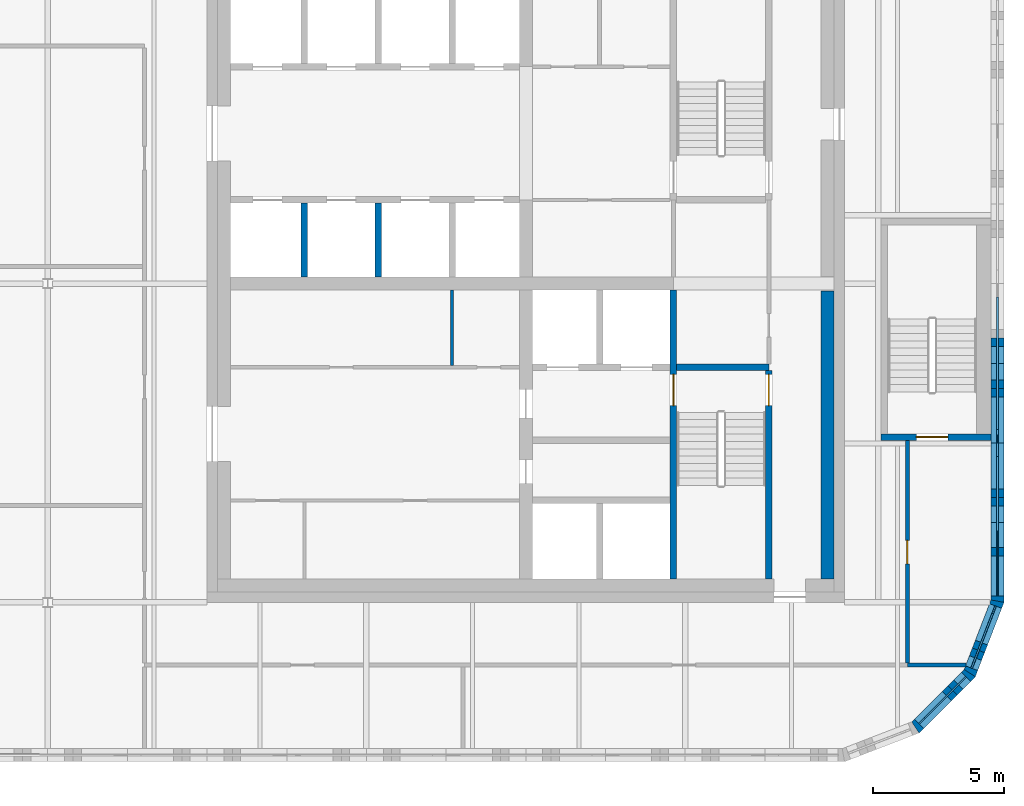
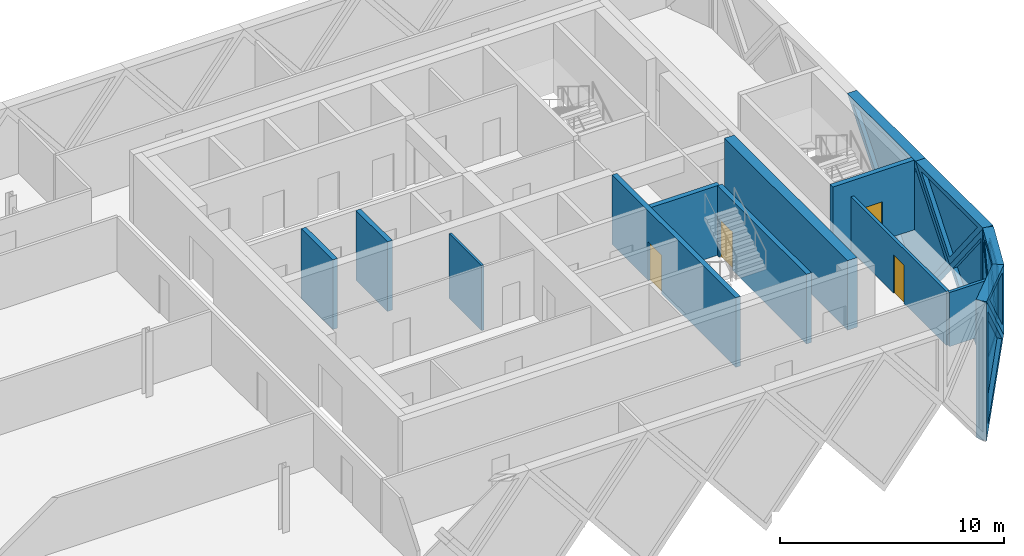
# One storey, part 7 of 12: 18 walls, 8 plates, 4 doors, 12 openings.
"""IFC4 building model written with IfcOpenShell, lengths in metres."""

from ifc_helpers import new_model, si_unit, direction, frame, frame_2d, origin, place, context, subcontext, project, spatial, polyline, rectangle, outline, extrude, faceted_brep, source, transform, mapped, material, layer, layer_set, type_object, element, fill, save


model = new_model("IFC4")

# Units and contexts
model_context = context("Model", 3, precision=1e-05, world=origin(), true_north=direction((0.0, 1.0)))
body_context = subcontext(model_context, "Body", "Model", "MODEL_VIEW")
ifc_project = project(units=[si_unit("LENGTHUNIT", "METRE"), si_unit("AREAUNIT", "SQUARE_METRE"), si_unit("VOLUMEUNIT", "CUBIC_METRE"), si_unit("PLANEANGLEUNIT", "RADIAN"), si_unit("MASSUNIT", "GRAM", prefix="KILO")], contexts=[model_context])

# Site, building, storey
site_placement = place(None, origin())
site = spatial("IfcSite", under=ifc_project, at=site_placement, CompositionType="ELEMENT")
building_placement = place(site_placement, origin())
building = spatial("IfcBuilding", under=site, at=building_placement, Name="Tessera Gate Towers", CompositionType="ELEMENT")
storey_placement = place(building_placement, frame((0.0, 0.0, 255.89990234375)))
storey = spatial("IfcBuildingStorey", under=building, at=storey_placement, Name="L64", CompositionType="ELEMENT", Elevation=255.89990234375)

# Wall, opening, door
ifc_material_1 = material(Name="Concrete C40/50", Category="concrete")
ifc_layer_1 = layer(ifc_material_1, 0.25)
ifc_layer_set_1 = layer_set([ifc_layer_1], Name="CORE ENCLOSURE WALL 250")
wall_type_1 = type_object("IfcWallType", Name="CORE ENCLOSURE WALL 250", PredefinedType="SOLIDWALL", material=ifc_layer_set_1)
wall_1_placement = place(storey_placement, frame((48.35009765625, 36.35009765625, 0.0), z_axis=(0.0, 0.0, 1.0), x_axis=(0.0, -1.0, 0.0)))
wall_1 = element("IfcWall", 1, at=wall_1_placement, inside=storey, type_object=wall_type_1, Name="L64 shaft and stair enclosure wall", PredefinedType="SOLIDWALL", context=body_context, shape_type="SweptSolid", body=[
    extrude(rectangle(XDim=11.050048828125, YDim=0.25, at=frame_2d((5.52490234375, 0.0))), origin(), (0.0, 0.0, 1.0), 3.800048828125),
])
shared_shape_1 = source(origin(), body_context, "Body", "SweptSolid", [
    extrude(rectangle(XDim=1.199951171875, YDim=2.10009765625, at=frame_2d((0.60009765625, 1.050048828125))), frame((0.0, 0.135009765625, 0.0), z_axis=(0.0, -1.0, 0.0), x_axis=(1.0, 0.0, 0.0)), (0.0, 0.0, 1.0), 0.27001953125),
])
opening_1_placement = place(wall_1_placement, frame((3.22509765625, 0.0, 0.0)))
opening_1 = element("IfcOpeningElement", 2, at=opening_1_placement, cuts=wall_1, Name="Opening SD-ST1-1", PredefinedType="OPENING", context=body_context, shape_type="MappedRepresentation", body=[
    mapped(shared_shape_1, transform((0.0, 0.0, 0.0), scale=1.0)),
])
ifc_material_2 = material(Name="Hollow steel fire door", Category="steel")
door_type_1 = type_object("IfcDoorType", Name="CORE DOOR SD 1200x2100", OperationType="NOTDEFINED", PredefinedType="DOOR", material=ifc_material_2)
shared_shape_2 = source(origin(), body_context, "Body", "SweptSolid", [
    extrude(rectangle(XDim=1.199951171875, YDim=2.10009765625, at=frame_2d((0.60009765625, 1.050048828125))), frame((0.0, 0.02490234375, 0.0), z_axis=(0.0, -1.0, 0.0), x_axis=(1.0, 0.0, 0.0)), (0.0, 0.0, 1.0), 0.050048828125),
])
door_1_placement = place(opening_1_placement, origin())
door_1 = element("IfcDoor", 3, at=door_1_placement, inside=storey, type_object=door_type_1, Name="Stair door", OperationType="SINGLE_SWING_LEFT", OverallHeight=2.10009765625, OverallWidth=1.199951171875, PredefinedType="DOOR", context=body_context, shape_type="MappedRepresentation", body=[
    mapped(shared_shape_2, transform((0.0, 0.0, 0.0), scale=1.0)),
])
fill(opening_1, door_1)

# Wall
wall_2_placement = place(storey_placement, frame((48.47509765625, 33.39990234375, 0.0), z_axis=(0.0, 0.0, 1.0), x_axis=(1.0, 0.0, 0.0)))
element("IfcWall", 4, at=wall_2_placement, inside=storey, type_object=wall_type_1, Name="L64 shaft and stair enclosure wall", PredefinedType="SOLIDWALL", context=body_context, shape_type="SweptSolid", body=[
    extrude(rectangle(XDim=3.52490234375, YDim=0.25, at=frame_2d((1.762451171875, 0.0))), origin(), (0.0, 0.0, 1.0), 3.800048828125),
])

# Wall, opening, door
wall_3_placement = place(storey_placement, frame((52.0, 25.300048828125, 0.0), z_axis=(0.0, 0.0, 1.0), x_axis=(0.0, 1.0, 0.0)))
wall_3 = element("IfcWall", 5, at=wall_3_placement, inside=storey, type_object=wall_type_1, Name="L64 shaft and stair enclosure wall", PredefinedType="SOLIDWALL", context=body_context, shape_type="SweptSolid", body=[
    extrude(rectangle(XDim=7.974853515625, YDim=0.25, at=frame_2d((3.9873046875, 0.0))), origin(), (0.0, 0.0, 1.0), 3.800048828125),
])
opening_2_placement = place(wall_3_placement, frame((6.625, 0.0, 0.0)))
opening_2 = element("IfcOpeningElement", 6, at=opening_2_placement, cuts=wall_3, Name="Opening SD-ST1-2", PredefinedType="OPENING", context=body_context, shape_type="MappedRepresentation", body=[
    mapped(shared_shape_1, transform((0.0, 0.0, 0.0), scale=1.0)),
])
door_2_placement = place(opening_2_placement, origin())
door_2 = element("IfcDoor", 7, at=door_2_placement, inside=storey, type_object=door_type_1, Name="Stair door", OperationType="SINGLE_SWING_RIGHT", OverallHeight=2.10009765625, OverallWidth=1.199951171875, PredefinedType="DOOR", context=body_context, shape_type="MappedRepresentation", body=[
    mapped(shared_shape_2, transform((0.0, 0.0, 0.0), scale=1.0)),
])
fill(opening_2, door_2)

# Walls
for number, where, z_axis, x_axis, name in (
    (8, (34.22509765625, 36.85009765625, 0.0), (0.0, 0.0, 1.0), (0.0, 1.0, 0.0), "L64 shaft and stair enclosure wall"),
    (9, (37.050048828125, 36.85009765625, 0.0), (0.0, 0.0, 1.0), (0.0, 1.0, 0.0), "L64 shaft and stair enclosure wall"),
):
    element("IfcWall", number, at=place(storey_placement, frame(where, z_axis=z_axis, x_axis=x_axis)), inside=storey, type_object=wall_type_1, Name=name, PredefinedType="SOLIDWALL", context=body_context, shape_type="SweptSolid", body=[
        extrude(rectangle(XDim=2.824951171875, YDim=0.25, at=frame_2d((1.41259765625, 0.0))), origin(), (0.0, 0.0, 1.0), 3.800048828125),
    ])

# Wall, opening, door
wall_4_placement = place(storey_placement, frame((60.5, 30.72509765625, 0.0), z_axis=(0.0, 0.0, 1.0), x_axis=(-1.0, 0.0, 0.0)))
wall_4 = element("IfcWall", 10, at=wall_4_placement, inside=storey, type_object=wall_type_1, Name="L64 ST5 enclosure wall", PredefinedType="SOLIDWALL", context=body_context, shape_type="SweptSolid", body=[
    extrude(rectangle(XDim=4.199951171875, YDim=0.25, at=frame_2d((2.10009765625, 0.0))), origin(), (0.0, 0.0, 1.0), 3.800048828125),
])
opening_3_placement = place(wall_4_placement, frame((1.64990234375, 0.0, 0.0)))
opening_3 = element("IfcOpeningElement", 11, at=opening_3_placement, cuts=wall_4, Name="Opening SD-ST5-1", PredefinedType="OPENING", context=body_context, shape_type="MappedRepresentation", body=[
    mapped(shared_shape_1, transform((0.0, 0.0, 0.0), scale=1.0)),
])
door_3_placement = place(opening_3_placement, origin())
door_3 = element("IfcDoor", 12, at=door_3_placement, inside=storey, type_object=door_type_1, Name="Stair door", OperationType="SINGLE_SWING_RIGHT", OverallHeight=2.10009765625, OverallWidth=1.199951171875, PredefinedType="DOOR", context=body_context, shape_type="MappedRepresentation", body=[
    mapped(shared_shape_2, transform((0.0, 0.0, 0.0), scale=1.0)),
])
fill(opening_3, door_3)

# Walls
ifc_material_3 = material(Name="Gypsum board on steel studs", Category="steel")
ifc_layer_2 = layer(ifc_material_3, 0.1201171875)
ifc_layer_set_2 = layer_set([ifc_layer_2], Name="CORE PARTITION 120")
wall_type_2 = type_object("IfcWallType", Name="CORE PARTITION 120", PredefinedType="PARTITIONING", material=ifc_layer_set_2)
wall_5_placement = place(storey_placement, frame((39.875, 33.4599609375, 0.0), z_axis=(0.0, 0.0, 1.0), x_axis=(0.0, 1.0, 0.0)))
element("IfcWall", 13, at=wall_5_placement, inside=storey, type_object=wall_type_2, Name="L64 core partition", PredefinedType="PARTITIONING", context=body_context, shape_type="SweptSolid", body=[
    extrude(rectangle(XDim=2.89013671875, YDim=0.1201171875, at=frame_2d((1.445068359375, 0.0))), origin(), (0.0, 0.0, 1.0), 3.550048828125),
])
ifc_material_4 = material(Name="Concrete C40/50", Category="concrete")
ifc_layer_3 = layer(ifc_material_4, 0.5)
ifc_layer_set_3 = layer_set([ifc_layer_3], Name="CORE WALL THICKENING 500")
wall_type_3 = type_object("IfcWallType", Name="CORE WALL THICKENING 500", PredefinedType="SOLIDWALL", material=ifc_layer_set_3)
wall_6_placement = place(storey_placement, frame((54.25, 25.300048828125, 0.0), z_axis=(0.0, 0.0, 1.0), x_axis=(0.0, 1.0, 0.0)))
element("IfcWall", 14, at=wall_6_placement, inside=storey, type_object=wall_type_3, Name="Core wall thickening E L64", PredefinedType="SOLIDWALL", context=body_context, shape_type="SweptSolid", body=[
    extrude(rectangle(XDim=11.02001953125, YDim=0.5, at=frame_2d((5.510009765625, 0.0))), origin(), (0.0, 0.0, 1.0), 3.800048828125),
])

# Wall, opening, door
ifc_material_5 = material(Name="Gypsum board on steel studs, mineral wool", Category="steel")
ifc_layer_4 = layer(ifc_material_5, 0.14990234375)
ifc_layer_set_4 = layer_set([ifc_layer_4], Name="CORRIDOR WALL 150")
wall_type_4 = type_object("IfcWallType", Name="CORRIDOR WALL 150", PredefinedType="PARTITIONING", material=ifc_layer_set_4)
wall_7_placement = place(storey_placement, frame((57.300048828125, 30.60009765625, 0.0), z_axis=(0.0, 0.0, 1.0), x_axis=(0.0, -1.0, 0.0)))
wall_7 = element("IfcWall", 15, at=wall_7_placement, inside=storey, type_object=wall_type_4, Name="T1-L64-PW-006", PredefinedType="PARTITIONING", context=body_context, shape_type="SweptSolid", body=[
    extrude(rectangle(XDim=8.524169921875, YDim=0.14990234375, at=frame_2d((4.26220703125, 0.0))), origin(), (0.0, 0.0, 1.0), 2.947021484375),
])
shared_shape_3 = source(origin(), body_context, "Body", "SweptSolid", [
    extrude(rectangle(XDim=0.89990234375, YDim=2.10009765625, at=frame_2d((0.449951171875, 1.050048828125))), frame((0.0, 0.0849609375, 0.0), z_axis=(0.0, -1.0, 0.0), x_axis=(1.0, 0.0, 0.0)), (0.0, 0.0, 1.0), 0.169921875),
])
opening_4_placement = place(wall_7_placement, frame((3.823974609375, 0.0, 0.0)))
opening_4 = element("IfcOpeningElement", 16, at=opening_4_placement, cuts=wall_7, Name="Opening D890FD60-A22-04", PredefinedType="OPENING", context=body_context, shape_type="MappedRepresentation", body=[
    mapped(shared_shape_3, transform((0.0, 0.0, 0.0), scale=1.0)),
])
ifc_material_6 = material(Name="Timber door leaf in steel frame", Category="steel")
door_type_2 = type_object("IfcDoorType", Name="CORRIDOR DOOR 900 FD60", OperationType="NOTDEFINED", PredefinedType="DOOR", material=ifc_material_6)
shared_shape_4 = source(origin(), body_context, "Body", "SweptSolid", [
    extrude(rectangle(XDim=0.89990234375, YDim=2.10009765625, at=frame_2d((0.449951171875, 1.050048828125))), frame((0.0, 0.02490234375, 0.0), z_axis=(0.0, -1.0, 0.0), x_axis=(1.0, 0.0, 0.0)), (0.0, 0.0, 1.0), 0.050048828125),
])
door_4_placement = place(opening_4_placement, origin())
door_4 = element("IfcDoor", 17, at=door_4_placement, inside=storey, type_object=door_type_2, Name="T1-L64-PD-010", OperationType="SINGLE_SWING_RIGHT", OverallHeight=2.10009765625, OverallWidth=0.89990234375, PredefinedType="DOOR", context=body_context, shape_type="MappedRepresentation", body=[
    mapped(shared_shape_4, transform((0.0, 0.0, 0.0), scale=1.0)),
])
fill(opening_4, door_4)

# Wall
ifc_material_7 = material(Name="Gypsum board on steel studs, mineral wool", Category="steel")
ifc_layer_5 = layer(ifc_material_7, 0.14990234375)
ifc_layer_set_5 = layer_set([ifc_layer_5], Name="TENANCY WALL 150")
wall_type_5 = type_object("IfcWallType", Name="TENANCY WALL 150", PredefinedType="PARTITIONING", material=ifc_layer_set_5)
wall_8_placement = place(storey_placement, frame((57.301025390625, 22.0, 0.0), z_axis=(0.0, 0.0, 1.0), x_axis=(1.0, 0.0, 0.0)))
element("IfcWall", 18, at=wall_8_placement, inside=storey, type_object=wall_type_5, Name="T1-L64-PW-004", PredefinedType="PARTITIONING", context=body_context, shape_type="SweptSolid", body=[
    extrude(rectangle(XDim=2.2373046875, YDim=0.14990234375, at=frame_2d((1.11865234375, 0.0))), origin(), (0.0, 0.0, 1.0), 2.947021484375),
])

# Wall, opening, plate
ifc_material_8 = material(Name="Precast concrete C60/75 white", Category="concrete")
ifc_layer_6 = layer(ifc_material_8, 0.5)
ifc_layer_set_6 = layer_set([ifc_layer_6], Name="TS3 corner tessera")
wall_type_6 = type_object("IfcWallType", Name="TS3 corner tessera", PredefinedType="SOLIDWALL", material=ifc_layer_set_6)
shared_shape_5 = source(origin(), body_context, "Body", "Brep", [
    faceted_brep([(0.046630859375, -0.25, 0.0), (3.050048828125, -0.25, 3.7998046875), (0.046630859375, -0.25, 7.599853515625), (0.0, -0.25, 7.539794921875), (0.0, -0.25, 0.06005859375), (0.09326171875, 0.25, 7.541015625), (3.050048828125, 0.25, 3.7998046875), (0.09326171875, 0.25, 0.058837890625), (0.046630859375, 0.0, 0.0), (0.046630859375, 0.0, 7.599853515625)], [[[0, 1, 2, 3, 4]], [[5, 6, 7]], [[7, 6, 1, 0, 8]], [[6, 5, 9, 2, 1]], [[3, 2, 9]], [[8, 0, 4]], [[7, 8, 4, 3, 9, 5]]]),
])
wall_9_placement = place(storey_placement, frame((60.75, 24.39990234375, -3.7998046875), z_axis=(0.0, 0.0, 1.0), x_axis=(0.0, 1.0, 0.0)))
wall_9 = element("IfcWall", 19, at=wall_9_placement, inside=storey, type_object=wall_type_6, Name="Precast corner tessera T1 TS3-1452", PredefinedType="SOLIDWALL", context=body_context, shape_type="MappedRepresentation", body=[
    mapped(shared_shape_5, transform((0.0, 0.0, 0.0), scale=1.0)),
])
shared_shape_6 = source(origin(), body_context, "Body", "SweptSolid", [
    extrude(outline(polyline([(0.24658203125, 0.656005859375), (2.7314453125, 3.7998046875), (0.24658203125, 6.943603515625), (0.24658203125, 0.656005859375)])), frame((0.0, 0.260009765625, 0.0), z_axis=(0.0, -1.0, 0.0), x_axis=(1.0, 0.0, 0.0)), (0.0, 0.0, 1.0), 0.52001953125),
])
opening_5_placement = place(wall_9_placement, origin())
opening_5 = element("IfcOpeningElement", 20, at=opening_5_placement, cuts=wall_9, Name="Opening T1-PL2-2282", PredefinedType="OPENING", context=body_context, shape_type="MappedRepresentation", body=[
    mapped(shared_shape_6, transform((0.0, 0.0, 0.0), scale=1.0)),
])
ifc_material_9 = material(Name="Low-e laminated glass", Category="glass")
ifc_layer_7 = layer(ifc_material_9, 0.06005859375)
ifc_layer_set_7 = layer_set([ifc_layer_7], Name="PL2 rhombic pane")
plate_type_1 = type_object("IfcPlateType", Name="PL2 rhombic pane", PredefinedType="SHEET", material=ifc_layer_set_7)
shared_shape_7 = source(origin(), body_context, "Body", "SweptSolid", [
    extrude(outline(polyline([(0.24658203125, 0.656005859375), (2.7314453125, 3.7998046875), (0.24658203125, 6.943603515625), (0.24658203125, 0.656005859375)])), frame((0.0, 0.030029296875, 0.0), z_axis=(0.0, -1.0, 0.0), x_axis=(1.0, 0.0, 0.0)), (0.0, 0.0, 1.0), 0.06005859375),
])
plate_1_placement = place(opening_5_placement, origin())
plate_1 = element("IfcPlate", 21, at=plate_1_placement, inside=storey, type_object=plate_type_1, Name="Glass pane T1 PL2-2282", PredefinedType="SHEET", context=body_context, shape_type="MappedRepresentation", body=[
    mapped(shared_shape_7, transform((0.0, 0.0, 0.0), scale=1.0)),
])
fill(opening_5, plate_1)

ifc_material_10 = material(Name="Precast concrete C60/75 white", Category="concrete")
ifc_layer_8 = layer(ifc_material_10, 0.5)
ifc_layer_set_8 = layer_set([ifc_layer_8], Name="TS1 tessera")
wall_type_7 = type_object("IfcWallType", Name="TS1 tessera", PredefinedType="SOLIDWALL", material=ifc_layer_set_8)
shared_shape_8 = source(origin(), body_context, "Body", "SweptSolid", [
    extrude(outline(polyline([(3.050048828125, 0.0), (6.10009765625, 3.7998046875), (3.050048828125, 7.599853515625), (0.0, 3.7998046875), (3.050048828125, 0.0)])), frame((0.0, 0.25, 0.0), z_axis=(0.0, -1.0, 0.0), x_axis=(1.0, 0.0, 0.0)), (0.0, 0.0, 1.0), 0.5),
])
wall_10_placement = place(storey_placement, frame((60.75, 27.449951171875, -3.7998046875), z_axis=(0.0, 0.0, 1.0), x_axis=(0.0, 1.0, 0.0)))
wall_10 = element("IfcWall", 22, at=wall_10_placement, inside=storey, type_object=wall_type_7, Name="Precast tessera T1 TS1-1131", PredefinedType="SOLIDWALL", context=body_context, shape_type="MappedRepresentation", body=[
    mapped(shared_shape_8, transform((0.0, 0.0, 0.0), scale=1.0)),
])
shared_shape_9 = source(origin(), body_context, "Body", "SweptSolid", [
    extrude(outline(polyline([(3.050048828125, 0.3994140625), (5.779541015625, 3.7998046875), (3.050048828125, 7.200439453125), (0.320556640625, 3.7998046875), (3.050048828125, 0.3994140625)])), frame((0.0, 0.260009765625, 0.0), z_axis=(0.0, -1.0, 0.0), x_axis=(1.0, 0.0, 0.0)), (0.0, 0.0, 1.0), 0.52001953125),
])
opening_6_placement = place(wall_10_placement, origin())
opening_6 = element("IfcOpeningElement", 23, at=opening_6_placement, cuts=wall_10, Name="Opening T1-PL2-2283", PredefinedType="OPENING", context=body_context, shape_type="MappedRepresentation", body=[
    mapped(shared_shape_9, transform((0.0, 0.0, 0.0), scale=1.0)),
])
shared_shape_10 = source(origin(), body_context, "Body", "SweptSolid", [
    extrude(outline(polyline([(3.050048828125, 0.3994140625), (5.779541015625, 3.7998046875), (3.050048828125, 7.200439453125), (0.320556640625, 3.7998046875), (3.050048828125, 0.3994140625)])), frame((0.0, 0.030029296875, 0.0), z_axis=(0.0, -1.0, 0.0), x_axis=(1.0, 0.0, 0.0)), (0.0, 0.0, 1.0), 0.06005859375),
])
plate_2_placement = place(opening_6_placement, origin())
plate_2 = element("IfcPlate", 24, at=plate_2_placement, inside=storey, type_object=plate_type_1, Name="Glass pane T1 PL2-2283", PredefinedType="SHEET", context=body_context, shape_type="MappedRepresentation", body=[
    mapped(shared_shape_10, transform((0.0, 0.0, 0.0), scale=1.0)),
])
fill(opening_6, plate_2)

shared_shape_11 = source(origin(), body_context, "Body", "Brep", [
    faceted_brep([(2.950439453125, -0.25, 0.0), (2.9970703125, -0.25, 0.05908203125), (2.9970703125, -0.25, 7.540771484375), (2.950439453125, -0.25, 7.599853515625), (0.0, -0.25, 3.7998046875), (0.052978515625, 0.25, 3.867919921875), (2.904052734375, 0.25, 7.5400390625), (2.904052734375, 0.25, 0.059814453125), (0.052978515625, 0.25, 3.731689453125), (2.950439453125, 0.00048828125, 0.0), (2.950439453125, 0.00048828125, 7.599853515625), (0.0, 0.0, 3.7998046875)], [[[0, 1, 2, 3, 4]], [[5, 6, 7, 8]], [[1, 0, 9]], [[10, 3, 2]], [[6, 5, 11, 4, 3, 10]], [[8, 7, 9, 0, 4, 11]], [[8, 11, 5]], [[1, 9, 7, 6, 10, 2]]]),
])
wall_11_placement = place(storey_placement, frame((59.68798828125, 21.69384765625, -3.7998046875), z_axis=(0.0, 0.0, 1.0), x_axis=(0.359972353723, 0.932962970624, 0.0)))
wall_11 = element("IfcWall", 25, at=wall_11_placement, inside=storey, type_object=wall_type_6, Name="Precast corner tessera T1 TS3-1451", PredefinedType="SOLIDWALL", context=body_context, shape_type="MappedRepresentation", body=[
    mapped(shared_shape_11, transform((0.0, 0.0, 0.0), scale=1.0)),
])
shared_shape_12 = source(origin(), body_context, "Body", "SweptSolid", [
    extrude(outline(polyline([(2.75048828125, 6.9345703125), (0.31640625, 3.7998046875), (2.75048828125, 0.6650390625), (2.75048828125, 6.9345703125)])), frame((0.0, 0.260009765625, 0.0), z_axis=(0.0, -1.0, 0.0), x_axis=(1.0, 0.0, 0.0)), (0.0, 0.0, 1.0), 0.52001953125),
])
opening_7_placement = place(wall_11_placement, origin())
opening_7 = element("IfcOpeningElement", 26, at=opening_7_placement, cuts=wall_11, Name="Opening T1-PL2-2281", PredefinedType="OPENING", context=body_context, shape_type="MappedRepresentation", body=[
    mapped(shared_shape_12, transform((0.0, 0.0, 0.0), scale=1.0)),
])
shared_shape_13 = source(origin(), body_context, "Body", "SweptSolid", [
    extrude(outline(polyline([(2.75048828125, 6.9345703125), (0.31640625, 3.7998046875), (2.75048828125, 0.6650390625), (2.75048828125, 6.9345703125)])), frame((0.0, 0.030029296875, 0.0), z_axis=(0.0, -1.0, 0.0), x_axis=(1.0, 0.0, 0.0)), (0.0, 0.0, 1.0), 0.06005859375),
])
plate_3_placement = place(opening_7_placement, origin())
plate_3 = element("IfcPlate", 27, at=plate_3_placement, inside=storey, type_object=plate_type_1, Name="Glass pane T1 PL2-2281", PredefinedType="SHEET", context=body_context, shape_type="MappedRepresentation", body=[
    mapped(shared_shape_13, transform((0.0, 0.0, 0.0), scale=1.0)),
])
fill(opening_7, plate_3)

shared_shape_14 = source(origin(), body_context, "Body", "Brep", [
    faceted_brep([(0.052978515625, -0.25, 0.0), (2.9970703125, -0.25, 3.7998046875), (0.052978515625, -0.25, 7.599853515625), (0.0, -0.25, 7.53173828125), (0.0, -0.25, 0.068115234375), (0.10595703125, 0.25, 7.531494140625), (2.944091796875, 0.25, 3.867919921875), (2.944091796875, 0.25, 3.731689453125), (0.10595703125, 0.25, 0.068359375), (2.9970703125, 0.000244140625, 3.7998046875), (0.052978515625, 0.0, 0.0), (0.052978515625, 0.0, 7.599853515625)], [[[0, 1, 2, 3, 4]], [[5, 6, 7, 8]], [[8, 7, 9, 1, 0, 10]], [[6, 5, 11, 2, 1, 9]], [[3, 2, 11]], [[10, 0, 4]], [[8, 10, 4, 3, 11, 5]], [[9, 7, 6]]]),
])
wall_12_placement = place(storey_placement, frame((57.56884765625, 19.574462890625, -3.7998046875), z_axis=(0.0, 0.0, 1.0), x_axis=(0.707106781187, 0.707106781187, 0.0)))
wall_12 = element("IfcWall", 28, at=wall_12_placement, inside=storey, type_object=wall_type_6, Name="Precast corner tessera T1 TS3-1450", PredefinedType="SOLIDWALL", context=body_context, shape_type="MappedRepresentation", body=[
    mapped(shared_shape_14, transform((0.0, 0.0, 0.0), scale=1.0)),
])
shared_shape_15 = source(origin(), body_context, "Body", "SweptSolid", [
    extrude(outline(polyline([(0.2529296875, 0.666259765625), (2.680908203125, 3.7998046875), (0.2529296875, 6.93359375), (0.2529296875, 0.666259765625)])), frame((0.0, 0.260009765625, 0.0), z_axis=(0.0, -1.0, 0.0), x_axis=(1.0, 0.0, 0.0)), (0.0, 0.0, 1.0), 0.52001953125),
])
opening_8_placement = place(wall_12_placement, origin())
opening_8 = element("IfcOpeningElement", 29, at=opening_8_placement, cuts=wall_12, Name="Opening T1-PL2-2280", PredefinedType="OPENING", context=body_context, shape_type="MappedRepresentation", body=[
    mapped(shared_shape_15, transform((0.0, 0.0, 0.0), scale=1.0)),
])
shared_shape_16 = source(origin(), body_context, "Body", "SweptSolid", [
    extrude(outline(polyline([(0.2529296875, 0.666259765625), (2.680908203125, 3.7998046875), (0.2529296875, 6.93359375), (0.2529296875, 0.666259765625)])), frame((0.0, 0.030029296875, 0.0), z_axis=(0.0, -1.0, 0.0), x_axis=(1.0, 0.0, 0.0)), (0.0, 0.0, 1.0), 0.06005859375),
])
plate_4_placement = place(opening_8_placement, origin())
plate_4 = element("IfcPlate", 30, at=plate_4_placement, inside=storey, type_object=plate_type_1, Name="Glass pane T1 PL2-2280", PredefinedType="SHEET", context=body_context, shape_type="MappedRepresentation", body=[
    mapped(shared_shape_16, transform((0.0, 0.0, 0.0), scale=1.0)),
])
fill(opening_8, plate_4)

ifc_material_11 = material(Name="Precast concrete C60/75 white", Category="concrete")
ifc_layer_9 = layer(ifc_material_11, 0.5)
ifc_layer_set_9 = layer_set([ifc_layer_9], Name="TS2 half tessera")
wall_type_8 = type_object("IfcWallType", Name="TS2 half tessera", PredefinedType="SOLIDWALL", material=ifc_layer_set_9)
shared_shape_17 = source(origin(), body_context, "Body", "SweptSolid", [
    extrude(outline(polyline([(3.050048828125, 0.0), (6.10009765625, 3.800048828125), (0.0, 3.800048828125), (3.050048828125, 0.0)])), frame((0.0, 0.25, 0.0), z_axis=(0.0, -1.0, 0.0), x_axis=(1.0, 0.0, 0.0)), (0.0, 0.0, 1.0), 0.5),
])
wall_13_placement = place(storey_placement, frame((60.75, 30.5, 0.0), z_axis=(0.0, 0.0, 1.0), x_axis=(0.0, 1.0, 0.0)))
wall_13 = element("IfcWall", 31, at=wall_13_placement, inside=storey, type_object=wall_type_8, Name="Precast half tessera T1 TS2-0306", PredefinedType="SOLIDWALL", context=body_context, shape_type="MappedRepresentation", body=[
    mapped(shared_shape_17, transform((0.0, 0.0, 0.0), scale=1.0)),
])
shared_shape_18 = source(origin(), body_context, "Body", "SweptSolid", [
    extrude(outline(polyline([(3.050048828125, 0.3994140625), (5.578857421875, 3.550048828125), (0.521240234375, 3.550048828125), (3.050048828125, 0.3994140625)])), frame((0.0, 0.260009765625, 0.0), z_axis=(0.0, -1.0, 0.0), x_axis=(1.0, 0.0, 0.0)), (0.0, 0.0, 1.0), 0.52001953125),
])
opening_9_placement = place(wall_13_placement, origin())
opening_9 = element("IfcOpeningElement", 32, at=opening_9_placement, cuts=wall_13, Name="Opening T1-PL1-0622", PredefinedType="OPENING", context=body_context, shape_type="MappedRepresentation", body=[
    mapped(shared_shape_18, transform((0.0, 0.0, 0.0), scale=1.0)),
])
ifc_material_12 = material(Name="Low-e laminated glass", Category="glass")
ifc_layer_10 = layer(ifc_material_12, 0.06005859375)
ifc_layer_set_10 = layer_set([ifc_layer_10], Name="PL1 triangular pane")
plate_type_2 = type_object("IfcPlateType", Name="PL1 triangular pane", PredefinedType="SHEET", material=ifc_layer_set_10)
shared_shape_19 = source(origin(), body_context, "Body", "SweptSolid", [
    extrude(outline(polyline([(3.050048828125, 0.3994140625), (5.578857421875, 3.550048828125), (0.521240234375, 3.550048828125), (3.050048828125, 0.3994140625)])), frame((0.0, 0.030029296875, 0.0), z_axis=(0.0, -1.0, 0.0), x_axis=(1.0, 0.0, 0.0)), (0.0, 0.0, 1.0), 0.06005859375),
])
plate_5_placement = place(opening_9_placement, origin())
plate_5 = element("IfcPlate", 33, at=plate_5_placement, inside=storey, type_object=plate_type_2, Name="Glass pane T1 PL1-0622", PredefinedType="SHEET", context=body_context, shape_type="MappedRepresentation", body=[
    mapped(shared_shape_19, transform((0.0, 0.0, 0.0), scale=1.0)),
])
fill(opening_9, plate_5)

shared_shape_20 = source(origin(), body_context, "Body", "Brep", [
    faceted_brep([(0.052978515625, -0.25, 0.0), (3.00341796875, -0.25, 3.800048828125), (0.0, -0.25, 3.800048828125), (0.0, -0.25, 0.068359375), (0.10595703125, 0.25, 3.800048828125), (2.95703125, 0.25, 3.800048828125), (2.95703125, 0.25, 3.740234375), (0.10595703125, 0.25, 0.068115234375), (3.00341796875, 0.00048828125, 3.800048828125), (0.052978515625, 0.0, 0.0)], [[[0, 1, 2, 3]], [[4, 5, 6, 7]], [[7, 6, 8, 1, 0, 9]], [[5, 4, 2, 1, 8]], [[9, 0, 3]], [[7, 9, 3, 2, 4]], [[6, 5, 8]]]),
])
wall_14_placement = place(storey_placement, frame((59.6689453125, 21.644287109375, 0.0), z_axis=(0.0, 0.0, 1.0), x_axis=(0.35992665181, 0.932980602862, 0.0)))
wall_14 = element("IfcWall", 34, at=wall_14_placement, inside=storey, type_object=wall_type_6, Name="Precast corner tessera T1 TS3-1470", PredefinedType="SOLIDWALL", context=body_context, shape_type="MappedRepresentation", body=[
    mapped(shared_shape_20, transform((0.0, 0.0, 0.0), scale=1.0)),
])
shared_shape_21 = source(origin(), body_context, "Body", "SweptSolid", [
    extrude(outline(polyline([(0.2529296875, 0.665283203125), (2.492919921875, 3.550048828125), (0.2529296875, 3.550048828125), (0.2529296875, 0.665283203125)])), frame((0.0, 0.260009765625, 0.0), z_axis=(0.0, -1.0, 0.0), x_axis=(1.0, 0.0, 0.0)), (0.0, 0.0, 1.0), 0.52001953125),
])
opening_10_placement = place(wall_14_placement, origin())
opening_10 = element("IfcOpeningElement", 35, at=opening_10_placement, cuts=wall_14, Name="Opening T1-PL1-0620", PredefinedType="OPENING", context=body_context, shape_type="MappedRepresentation", body=[
    mapped(shared_shape_21, transform((0.0, 0.0, 0.0), scale=1.0)),
])
shared_shape_22 = source(origin(), body_context, "Body", "SweptSolid", [
    extrude(outline(polyline([(0.2529296875, 0.665283203125), (2.492919921875, 3.550048828125), (0.2529296875, 3.550048828125), (0.2529296875, 0.665283203125)])), frame((0.0, 0.030029296875, 0.0), z_axis=(0.0, -1.0, 0.0), x_axis=(1.0, 0.0, 0.0)), (0.0, 0.0, 1.0), 0.06005859375),
])
plate_6_placement = place(opening_10_placement, origin())
plate_6 = element("IfcPlate", 36, at=plate_6_placement, inside=storey, type_object=plate_type_2, Name="Glass pane T1 PL1-0620", PredefinedType="SHEET", context=body_context, shape_type="MappedRepresentation", body=[
    mapped(shared_shape_22, transform((0.0, 0.0, 0.0), scale=1.0)),
])
fill(opening_10, plate_6)

shared_shape_23 = source(origin(), body_context, "Body", "Brep", [
    faceted_brep([(3.00341796875, -0.25, 0.0), (6.053466796875, -0.25, 3.800048828125), (0.0, -0.25, 3.800048828125), (0.046630859375, 0.25, 3.800048828125), (6.053466796875, 0.25, 3.800048828125), (3.00341796875, 0.25, 0.0), (0.046630859375, 0.25, 3.7412109375), (0.0, 0.0, 3.800048828125)], [[[0, 1, 2]], [[3, 4, 5, 6]], [[5, 4, 1, 0]], [[4, 3, 7, 2, 1]], [[6, 5, 0, 2, 7]], [[6, 7, 3]]]),
])
wall_15_placement = place(storey_placement, frame((60.75, 24.446533203125, 0.0), z_axis=(0.0, 0.0, 1.0), x_axis=(0.0, 1.0, 0.0)))
wall_15 = element("IfcWall", 37, at=wall_15_placement, inside=storey, type_object=wall_type_8, Name="Precast half tessera T1 TS2-0305", PredefinedType="SOLIDWALL", context=body_context, shape_type="MappedRepresentation", body=[
    mapped(shared_shape_23, transform((0.0, 0.0, 0.0), scale=1.0)),
])
shared_shape_24 = source(origin(), body_context, "Body", "SweptSolid", [
    extrude(outline(polyline([(3.0048828125, 0.4013671875), (5.5322265625, 3.550048828125), (0.516357421875, 3.550048828125), (3.0048828125, 0.4013671875)])), frame((0.0, 0.260009765625, 0.0), z_axis=(0.0, -1.0, 0.0), x_axis=(1.0, 0.0, 0.0)), (0.0, 0.0, 1.0), 0.52001953125),
])
opening_11_placement = place(wall_15_placement, origin())
opening_11 = element("IfcOpeningElement", 38, at=opening_11_placement, cuts=wall_15, Name="Opening T1-PL1-0621", PredefinedType="OPENING", context=body_context, shape_type="MappedRepresentation", body=[
    mapped(shared_shape_24, transform((0.0, 0.0, 0.0), scale=1.0)),
])
shared_shape_25 = source(origin(), body_context, "Body", "SweptSolid", [
    extrude(outline(polyline([(3.0048828125, 0.4013671875), (5.5322265625, 3.550048828125), (0.516357421875, 3.550048828125), (3.0048828125, 0.4013671875)])), frame((0.0, 0.030029296875, 0.0), z_axis=(0.0, -1.0, 0.0), x_axis=(1.0, 0.0, 0.0)), (0.0, 0.0, 1.0), 0.06005859375),
])
plate_7_placement = place(opening_11_placement, origin())
plate_7 = element("IfcPlate", 39, at=plate_7_placement, inside=storey, type_object=plate_type_2, Name="Glass pane T1 PL1-0621", PredefinedType="SHEET", context=body_context, shape_type="MappedRepresentation", body=[
    mapped(shared_shape_25, transform((0.0, 0.0, 0.0), scale=1.0)),
])
fill(opening_11, plate_7)

shared_shape_26 = source(origin(), body_context, "Body", "Brep", [
    faceted_brep([(2.944091796875, -0.25, 0.0), (2.9970703125, -0.25, 0.068115234375), (2.9970703125, -0.25, 3.800048828125), (0.0, -0.25, 3.800048828125), (0.052978515625, 0.25, 3.800048828125), (2.89111328125, 0.25, 3.800048828125), (2.89111328125, 0.25, 0.068115234375), (0.052978515625, 0.25, 3.731689453125), (2.944091796875, 0.000244140625, 0.0), (0.0, 0.0, 3.800048828125)], [[[0, 1, 2, 3]], [[4, 5, 6, 7]], [[1, 0, 8]], [[5, 4, 9, 3, 2]], [[7, 6, 8, 0, 3, 9]], [[7, 9, 4]], [[1, 8, 6, 5, 2]]]),
])
wall_16_placement = place(storey_placement, frame((57.606201171875, 19.61181640625, 0.0), z_axis=(0.0, 0.0, 1.0), x_axis=(0.707106781187, 0.707106781187, 0.0)))
wall_16 = element("IfcWall", 40, at=wall_16_placement, inside=storey, type_object=wall_type_6, Name="Precast corner tessera T1 TS3-1469", PredefinedType="SOLIDWALL", context=body_context, shape_type="MappedRepresentation", body=[
    mapped(shared_shape_26, transform((0.0, 0.0, 0.0), scale=1.0)),
])
shared_shape_27 = source(origin(), body_context, "Body", "SweptSolid", [
    extrude(outline(polyline([(2.744140625, 3.550048828125), (0.510009765625, 3.550048828125), (2.744140625, 0.66650390625), (2.744140625, 3.550048828125)])), frame((0.0, 0.260009765625, 0.0), z_axis=(0.0, -1.0, 0.0), x_axis=(1.0, 0.0, 0.0)), (0.0, 0.0, 1.0), 0.52001953125),
])
opening_12_placement = place(wall_16_placement, origin())
opening_12 = element("IfcOpeningElement", 41, at=opening_12_placement, cuts=wall_16, Name="Opening T1-PL1-0619", PredefinedType="OPENING", context=body_context, shape_type="MappedRepresentation", body=[
    mapped(shared_shape_27, transform((0.0, 0.0, 0.0), scale=1.0)),
])
shared_shape_28 = source(origin(), body_context, "Body", "SweptSolid", [
    extrude(outline(polyline([(2.744140625, 3.550048828125), (0.510009765625, 3.550048828125), (2.744140625, 0.66650390625), (2.744140625, 3.550048828125)])), frame((0.0, 0.030029296875, 0.0), z_axis=(0.0, -1.0, 0.0), x_axis=(1.0, 0.0, 0.0)), (0.0, 0.0, 1.0), 0.06005859375),
])
plate_8_placement = place(opening_12_placement, origin())
plate_8 = element("IfcPlate", 42, at=plate_8_placement, inside=storey, type_object=plate_type_2, Name="Glass pane T1 PL1-0619", PredefinedType="SHEET", context=body_context, shape_type="MappedRepresentation", body=[
    mapped(shared_shape_28, transform((0.0, 0.0, 0.0), scale=1.0)),
])
fill(opening_12, plate_8)

save(model, "model.ifc")
